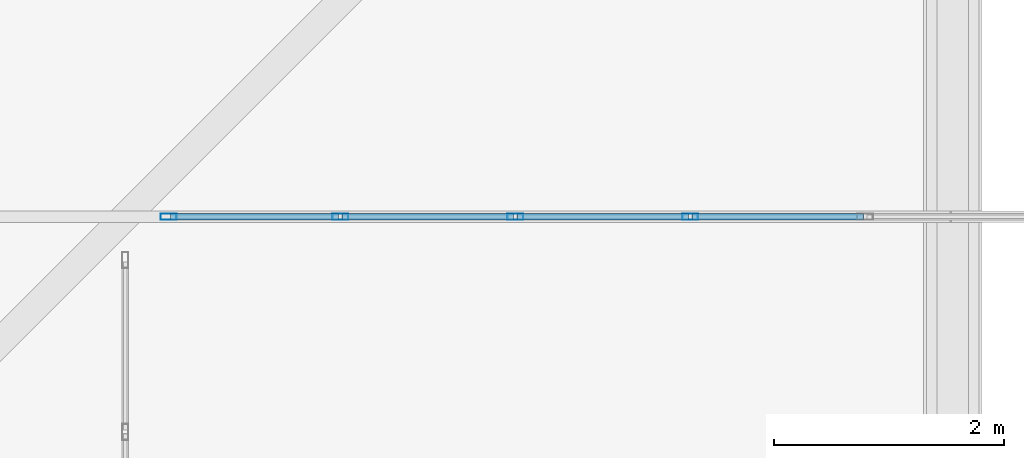
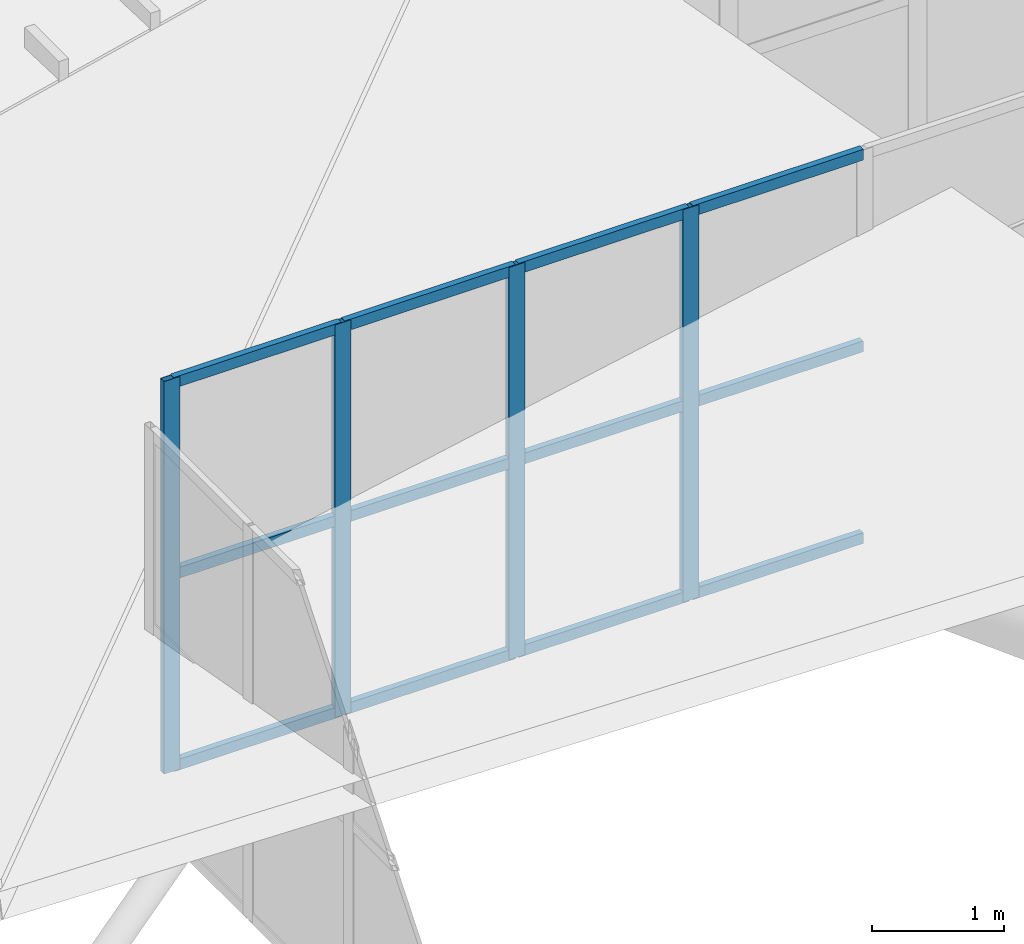
# One storey, part 224 of 397: 16 members, 1 element without a shape of its own.
"""IFC4 building model written with IfcOpenShell, lengths in metres."""

from ifc_helpers import new_model, si_unit, direction, frame, origin, origin_2d, place, context, subcontext, project, spatial, hollow_rectangle, extrude, material, material_profile, profile_set, type_object, element, aggregate, save


model = new_model("IFC4")

# Units and contexts
model_context = context("Model", 3, precision=1e-05, world=origin(), true_north=direction((0.0, 1.0)))
body_context = subcontext(model_context, "Body", "Model", "MODEL_VIEW")
ifc_project = project(units=[si_unit("LENGTHUNIT", "METRE"), si_unit("AREAUNIT", "SQUARE_METRE"), si_unit("VOLUMEUNIT", "CUBIC_METRE"), si_unit("PLANEANGLEUNIT", "RADIAN"), si_unit("MASSUNIT", "GRAM", prefix="KILO")], contexts=[model_context])

# Site, building, storey
site_placement = place(None, origin())
site = spatial("IfcSite", under=ifc_project, at=site_placement, CompositionType="ELEMENT")
building_placement = place(site_placement, origin())
building = spatial("IfcBuilding", under=site, at=building_placement, Name="Qandorah Velis Arena", CompositionType="ELEMENT")
storey_placement = place(building_placement, frame((0.0, 0.0, 27.5)))
storey = spatial("IfcBuildingStorey", under=building, at=storey_placement, Name="RF", CompositionType="ELEMENT", Elevation=27.5)

# Curtain wall, members
ifc_material_1 = material(Name="Solar-control low-E double glazing", Category="glass")
curtain_wall_type = type_object("IfcCurtainWallType", Name="ARC-CW-SYS01", PredefinedType="USERDEFINED", material=ifc_material_1)
curtain_wall_placement = place(storey_placement, origin())
curtain_wall = element("IfcCurtainWall", 1, at=curtain_wall_placement, inside=storey, type_object=curtain_wall_type, Name="Unitised curtain wall MON-4-1", ObjectType="UNITISED CURTAIN WALL", PredefinedType="USERDEFINED")
ifc_material_2 = material(Name="Champagne-bronze anodized aluminium 6063-T6", Category="aluminium")
ifc_material_profile_1 = material_profile(ifc_material_2, hollow_rectangle(XDim=0.054931640625, YDim=0.139892578125, WallThickness=0.0029296875, at=origin_2d()), Name="ALU MULLION 55x140")
ifc_profile_set_1 = profile_set([ifc_material_profile_1], Name="Champagne-bronze anodized aluminium 6063-T6")
member_type_1 = type_object("IfcMemberType", Name="ARC-CWM-140", PredefinedType="MULLION", material=ifc_profile_set_1)
member_1_placement = place(storey_placement, frame((21.9775390625, 108.0, 3.625732421875), z_axis=(0.0, 0.0, 1.0), x_axis=(0.0, 1.0, 0.0)))
member_1 = element("IfcMember", 2, at=member_1_placement, type_object=member_type_1, Name="CW01 mullion 1", PredefinedType="MULLION", context=body_context, shape_type="SweptSolid", body=[
    extrude(hollow_rectangle(XDim=0.054931640625, YDim=0.139892578125, WallThickness=0.0029296875, at=origin_2d()), origin(), (0.0, 0.0, 1.0), 3.630126953125),
])
member_2_placement = place(storey_placement, frame((23.47216796875, 108.0, 3.625732421875), z_axis=(0.0, 0.0, 1.0), x_axis=(0.0, 1.0, 0.0)))
member_2 = element("IfcMember", 3, at=member_2_placement, type_object=member_type_1, Name="CW01 mullion 2", PredefinedType="MULLION", context=body_context, shape_type="SweptSolid", body=[
    extrude(hollow_rectangle(XDim=0.054931640625, YDim=0.139892578125, WallThickness=0.0029296875, at=origin_2d()), origin(), (0.0, 0.0, 1.0), 3.630126953125),
])
member_3_placement = place(storey_placement, frame((24.994384765625, 108.0, 3.625732421875), z_axis=(0.0, 0.0, 1.0), x_axis=(0.0, 1.0, 0.0)))
member_3 = element("IfcMember", 4, at=member_3_placement, type_object=member_type_1, Name="CW01 mullion 3", PredefinedType="MULLION", context=body_context, shape_type="SweptSolid", body=[
    extrude(hollow_rectangle(XDim=0.054931640625, YDim=0.139892578125, WallThickness=0.0029296875, at=origin_2d()), origin(), (0.0, 0.0, 1.0), 3.630126953125),
])
member_4_placement = place(storey_placement, frame((26.5166015625, 108.0, 3.625732421875), z_axis=(0.0, 0.0, 1.0), x_axis=(0.0, 1.0, 0.0)))
member_4 = element("IfcMember", 5, at=member_4_placement, type_object=member_type_1, Name="CW01 mullion 4", PredefinedType="MULLION", context=body_context, shape_type="SweptSolid", body=[
    extrude(hollow_rectangle(XDim=0.054931640625, YDim=0.139892578125, WallThickness=0.0029296875, at=origin_2d()), origin(), (0.0, 0.0, 1.0), 3.630126953125),
])
ifc_material_profile_2 = material_profile(ifc_material_2, hollow_rectangle(XDim=0.054931640625, YDim=0.10009765625, WallThickness=0.0029296875, at=origin_2d()), Name="ALU TRANSOM 55x100")
ifc_profile_set_2 = profile_set([ifc_material_profile_2], Name="Champagne-bronze anodized aluminium 6063-T6")
member_type_2 = type_object("IfcMemberType", Name="ARC-CWT-100", PredefinedType="USERDEFINED", material=ifc_profile_set_2)
member_5_placement = place(storey_placement, frame((21.992919921875, 108.0, 3.668212890625), z_axis=(1.0, 0.0, 0.0), x_axis=(0.0, 1.0, 0.0)))
member_5 = element("IfcMember", 6, at=member_5_placement, type_object=member_type_2, Name="CW01 transom 1.1", ObjectType="TRANSOM", PredefinedType="USERDEFINED", context=body_context, shape_type="SweptSolid", body=[
    extrude(hollow_rectangle(XDim=0.054931640625, YDim=0.10009765625, WallThickness=0.0029296875, at=origin_2d()), origin(), (0.0, 0.0, 1.0), 1.4638671875),
])
member_6_placement = place(storey_placement, frame((21.992919921875, 108.0, 5.44091796875), z_axis=(1.0, 0.0, 0.0), x_axis=(0.0, 1.0, 0.0)))
member_6 = element("IfcMember", 7, at=member_6_placement, type_object=member_type_2, Name="CW01 transom 1.2", ObjectType="TRANSOM", PredefinedType="USERDEFINED", context=body_context, shape_type="SweptSolid", body=[
    extrude(hollow_rectangle(XDim=0.054931640625, YDim=0.10009765625, WallThickness=0.0029296875, at=origin_2d()), origin(), (0.0, 0.0, 1.0), 1.4638671875),
])
member_7_placement = place(storey_placement, frame((21.992919921875, 108.0, 7.21337890625), z_axis=(1.0, 0.0, 0.0), x_axis=(0.0, 1.0, 0.0)))
member_7 = element("IfcMember", 8, at=member_7_placement, type_object=member_type_2, Name="CW01 transom 1.3", ObjectType="TRANSOM", PredefinedType="USERDEFINED", context=body_context, shape_type="SweptSolid", body=[
    extrude(hollow_rectangle(XDim=0.054931640625, YDim=0.10009765625, WallThickness=0.0029296875, at=origin_2d()), origin(), (0.0, 0.0, 1.0), 1.4638671875),
])
member_8_placement = place(storey_placement, frame((23.48779296875, 108.0, 3.668212890625), z_axis=(1.0, 0.0, 0.0), x_axis=(0.0, 1.0, 0.0)))
member_8 = element("IfcMember", 9, at=member_8_placement, type_object=member_type_2, Name="CW01 transom 2.1", ObjectType="TRANSOM", PredefinedType="USERDEFINED", context=body_context, shape_type="SweptSolid", body=[
    extrude(hollow_rectangle(XDim=0.054931640625, YDim=0.10009765625, WallThickness=0.0029296875, at=origin_2d()), origin(), (0.0, 0.0, 1.0), 1.4912109375),
])
member_9_placement = place(storey_placement, frame((23.48779296875, 108.0, 5.44091796875), z_axis=(1.0, 0.0, 0.0), x_axis=(0.0, 1.0, 0.0)))
member_9 = element("IfcMember", 10, at=member_9_placement, type_object=member_type_2, Name="CW01 transom 2.2", ObjectType="TRANSOM", PredefinedType="USERDEFINED", context=body_context, shape_type="SweptSolid", body=[
    extrude(hollow_rectangle(XDim=0.054931640625, YDim=0.10009765625, WallThickness=0.0029296875, at=origin_2d()), origin(), (0.0, 0.0, 1.0), 1.4912109375),
])
member_10_placement = place(storey_placement, frame((23.48779296875, 108.0, 7.21337890625), z_axis=(1.0, 0.0, 0.0), x_axis=(0.0, 1.0, 0.0)))
member_10 = element("IfcMember", 11, at=member_10_placement, type_object=member_type_2, Name="CW01 transom 2.3", ObjectType="TRANSOM", PredefinedType="USERDEFINED", context=body_context, shape_type="SweptSolid", body=[
    extrude(hollow_rectangle(XDim=0.054931640625, YDim=0.10009765625, WallThickness=0.0029296875, at=origin_2d()), origin(), (0.0, 0.0, 1.0), 1.4912109375),
])
member_11_placement = place(storey_placement, frame((25.010009765625, 108.0, 3.668212890625), z_axis=(1.0, 0.0, 0.0), x_axis=(0.0, 1.0, 0.0)))
member_11 = element("IfcMember", 12, at=member_11_placement, type_object=member_type_2, Name="CW01 transom 3.1", ObjectType="TRANSOM", PredefinedType="USERDEFINED", context=body_context, shape_type="SweptSolid", body=[
    extrude(hollow_rectangle(XDim=0.054931640625, YDim=0.10009765625, WallThickness=0.0029296875, at=origin_2d()), origin(), (0.0, 0.0, 1.0), 1.4912109375),
])
member_12_placement = place(storey_placement, frame((25.010009765625, 108.0, 5.44091796875), z_axis=(1.0, 0.0, 0.0), x_axis=(0.0, 1.0, 0.0)))
member_12 = element("IfcMember", 13, at=member_12_placement, type_object=member_type_2, Name="CW01 transom 3.2", ObjectType="TRANSOM", PredefinedType="USERDEFINED", context=body_context, shape_type="SweptSolid", body=[
    extrude(hollow_rectangle(XDim=0.054931640625, YDim=0.10009765625, WallThickness=0.0029296875, at=origin_2d()), origin(), (0.0, 0.0, 1.0), 1.4912109375),
])
member_13_placement = place(storey_placement, frame((25.010009765625, 108.0, 7.21337890625), z_axis=(1.0, 0.0, 0.0), x_axis=(0.0, 1.0, 0.0)))
member_13 = element("IfcMember", 14, at=member_13_placement, type_object=member_type_2, Name="CW01 transom 3.3", ObjectType="TRANSOM", PredefinedType="USERDEFINED", context=body_context, shape_type="SweptSolid", body=[
    extrude(hollow_rectangle(XDim=0.054931640625, YDim=0.10009765625, WallThickness=0.0029296875, at=origin_2d()), origin(), (0.0, 0.0, 1.0), 1.4912109375),
])
member_14_placement = place(storey_placement, frame((26.5322265625, 108.0, 3.668212890625), z_axis=(1.0, 0.0, 0.0), x_axis=(0.0, 1.0, 0.0)))
member_14 = element("IfcMember", 15, at=member_14_placement, type_object=member_type_2, Name="CW01 transom 4.1", ObjectType="TRANSOM", PredefinedType="USERDEFINED", context=body_context, shape_type="SweptSolid", body=[
    extrude(hollow_rectangle(XDim=0.054931640625, YDim=0.10009765625, WallThickness=0.0029296875, at=origin_2d()), origin(), (0.0, 0.0, 1.0), 1.4912109375),
])
member_15_placement = place(storey_placement, frame((26.5322265625, 108.0, 5.44091796875), z_axis=(1.0, 0.0, 0.0), x_axis=(0.0, 1.0, 0.0)))
member_15 = element("IfcMember", 16, at=member_15_placement, type_object=member_type_2, Name="CW01 transom 4.2", ObjectType="TRANSOM", PredefinedType="USERDEFINED", context=body_context, shape_type="SweptSolid", body=[
    extrude(hollow_rectangle(XDim=0.054931640625, YDim=0.10009765625, WallThickness=0.0029296875, at=origin_2d()), origin(), (0.0, 0.0, 1.0), 1.4912109375),
])
member_16_placement = place(storey_placement, frame((26.5322265625, 108.0, 7.21337890625), z_axis=(1.0, 0.0, 0.0), x_axis=(0.0, 1.0, 0.0)))
member_16 = element("IfcMember", 17, at=member_16_placement, type_object=member_type_2, Name="CW01 transom 4.3", ObjectType="TRANSOM", PredefinedType="USERDEFINED", context=body_context, shape_type="SweptSolid", body=[
    extrude(hollow_rectangle(XDim=0.054931640625, YDim=0.10009765625, WallThickness=0.0029296875, at=origin_2d()), origin(), (0.0, 0.0, 1.0), 1.4912109375),
])
aggregate(curtain_wall, [member_1, member_2, member_3, member_4, member_5, member_6, member_7, member_8, member_9, member_10, member_11, member_12, member_13, member_14, member_15, member_16])

save(model, "model.ifc")
